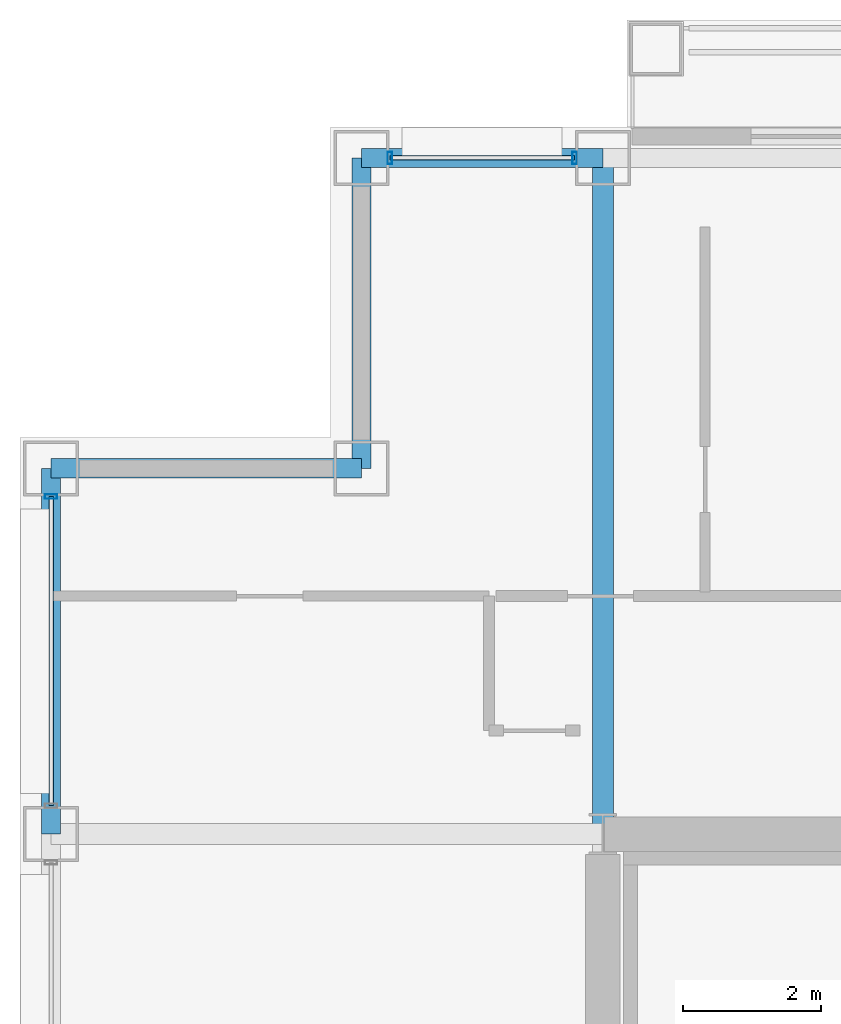
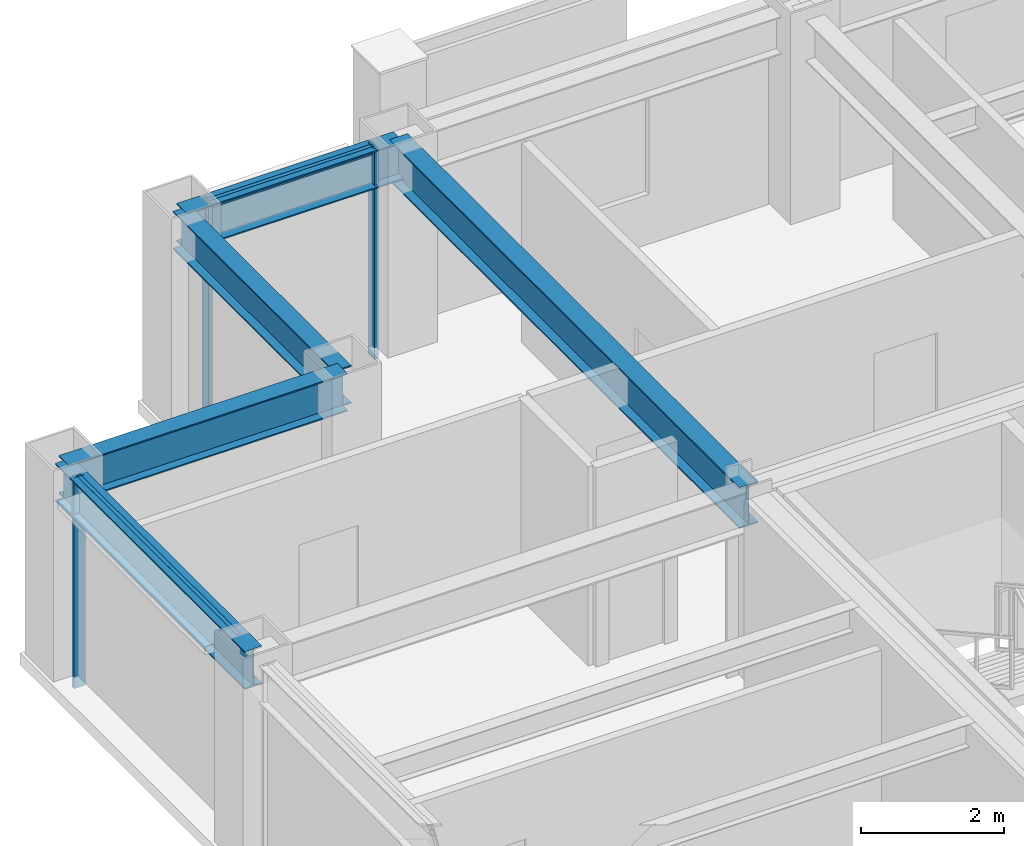
# One storey, part 17 of 29: 5 beams, 5 members, 2 elements without a shape of their own.
"""IFC4 building model written with IfcOpenShell, lengths in metres."""

from ifc_helpers import new_model, si_unit, direction, frame, origin, origin_2d, place, context, subcontext, project, spatial, hollow_rectangle, i_section, extrude, material, layer, layer_set, material_profile, profile_set, type_object, element, aggregate, save


model = new_model("IFC4")

# Units and contexts
model_context = context("Model", 3, precision=1e-05, world=origin(), true_north=direction((0.0, 1.0)))
body_context = subcontext(model_context, "Body", "Model", "MODEL_VIEW")
ifc_project = project(units=[si_unit("LENGTHUNIT", "METRE"), si_unit("AREAUNIT", "SQUARE_METRE"), si_unit("VOLUMEUNIT", "CUBIC_METRE"), si_unit("PLANEANGLEUNIT", "RADIAN"), si_unit("MASSUNIT", "GRAM", prefix="KILO")], contexts=[model_context])

# Site, building, storey
site_placement = place(None, origin())
site = spatial("IfcSite", under=ifc_project, at=site_placement, CompositionType="ELEMENT")
building_placement = place(site_placement, origin())
building = spatial("IfcBuilding", under=site, at=building_placement, Name="Brelmoor Portico Tower", CompositionType="ELEMENT")
storey_placement = place(building_placement, frame((0.0, 0.0, 135.0)))
storey = spatial("IfcBuildingStorey", under=building, at=storey_placement, Name="L35", CompositionType="ELEMENT", Elevation=135.0)

# Beams
ifc_material_1 = material(Name="Steel Q355B", Category="steel")
ifc_material_profile_1 = material_profile(ifc_material_1, i_section(OverallWidth=0.300048828125, OverallDepth=0.699951171875, WebThickness=0.012939453125, FlangeThickness=0.02392578125, at=origin_2d()), Name="HN 700x300x13x24")
ifc_profile_set_1 = profile_set([ifc_material_profile_1], Name="Steel Q355B")
beam_type_1 = type_object("IfcBeamType", Name="BM-PG-700", PredefinedType="BEAM", material=ifc_profile_set_1)
beam_1_placement = place(storey_placement, frame((-14.550048828125, 9.75, 3.050048828125), z_axis=(0.0, 1.0, 0.0), x_axis=(-1.0, 0.0, 0.0)))
element("IfcBeam", 1, at=beam_1_placement, inside=storey, type_object=beam_type_1, Name="L35 Primary Floor Girder PG-04", PredefinedType="BEAM", context=body_context, shape_type="SweptSolid", body=[
    extrude(i_section(OverallWidth=0.300048828125, OverallDepth=0.699951171875, WebThickness=0.012939453125, FlangeThickness=0.02392578125, at=origin_2d()), origin(), (0.0, 0.0, 1.0), 9.800048828125),
])
ifc_material_profile_2 = material_profile(ifc_material_1, i_section(OverallWidth=0.280029296875, OverallDepth=0.64990234375, WebThickness=0.012939453125, FlangeThickness=0.02197265625, at=origin_2d()), Name="HN 650x280x13x22")
ifc_profile_set_2 = profile_set([ifc_material_profile_2], Name="Steel Q355B")
beam_type_2 = type_object("IfcBeamType", Name="BM-SP-650", PredefinedType="SPANDREL", material=ifc_profile_set_2)
beam_2_placement = place(storey_placement, frame((-22.550048828125, 15.050048828125, 3.074951171875), z_axis=(1.0, 0.0, 0.0), x_axis=(0.0, 1.0, 0.0)))
element("IfcBeam", 2, at=beam_2_placement, inside=storey, type_object=beam_type_2, Name="L35 Perimeter Spandrel Beam SP-08", PredefinedType="SPANDREL", context=body_context, shape_type="SweptSolid", body=[
    extrude(i_section(OverallWidth=0.280029296875, OverallDepth=0.64990234375, WebThickness=0.012939453125, FlangeThickness=0.02197265625, at=origin_2d()), origin(), (0.0, 0.0, 1.0), 4.5),
])
beam_3_placement = place(storey_placement, frame((-18.050048828125, 19.550048828125, 3.074951171875), z_axis=(1.0, 0.0, 0.0), x_axis=(0.0, 1.0, 0.0)))
element("IfcBeam", 3, at=beam_3_placement, inside=storey, type_object=beam_type_2, Name="L35 Perimeter Spandrel Beam SP-10", PredefinedType="SPANDREL", context=body_context, shape_type="SweptSolid", body=[
    extrude(i_section(OverallWidth=0.280029296875, OverallDepth=0.64990234375, WebThickness=0.012939453125, FlangeThickness=0.02197265625, at=origin_2d()), origin(), (0.0, 0.0, 1.0), 3.5),
])
beam_4_placement = place(storey_placement, frame((-22.550048828125, 9.75, 3.074951171875), z_axis=(0.0, 1.0, 0.0), x_axis=(-1.0, 0.0, 0.0)))
element("IfcBeam", 4, at=beam_4_placement, inside=storey, type_object=beam_type_2, Name="L35 Perimeter Spandrel Beam SP-17", PredefinedType="SPANDREL", context=body_context, shape_type="SweptSolid", body=[
    extrude(i_section(OverallWidth=0.280029296875, OverallDepth=0.64990234375, WebThickness=0.012939453125, FlangeThickness=0.02197265625, at=origin_2d()), origin(), (0.0, 0.0, 1.0), 5.300048828125),
])
beam_5_placement = place(storey_placement, frame((-18.050048828125, 15.050048828125, 3.074951171875), z_axis=(0.0, 1.0, 0.0), x_axis=(-1.0, 0.0, 0.0)))
element("IfcBeam", 5, at=beam_5_placement, inside=storey, type_object=beam_type_2, Name="L35 Perimeter Spandrel Beam SP-19", PredefinedType="SPANDREL", context=body_context, shape_type="SweptSolid", body=[
    extrude(i_section(OverallWidth=0.280029296875, OverallDepth=0.64990234375, WebThickness=0.012939453125, FlangeThickness=0.02197265625, at=origin_2d()), origin(), (0.0, 0.0, 1.0), 4.5),
])

# Curtain wall, members
ifc_material_2 = material(Name="Anodised Aluminium Alloy 6063-T6", Category="aluminium")
ifc_layer = layer(ifc_material_2, 0.179931640625)
ifc_layer_set = layer_set([ifc_layer], Name="Anodised Aluminium Alloy 6063-T6")
curtain_wall_type = type_object("IfcCurtainWallType", Name="CW-TOWER-Z2-XB", PredefinedType="NOTDEFINED", material=ifc_layer_set)
curtain_wall_1_placement = place(storey_placement, origin())
curtain_wall_1 = element("IfcCurtainWall", 6, at=curtain_wall_1_placement, inside=storey, type_object=curtain_wall_type, Name="L35 Curtain Wall CW-L35-2L", PredefinedType="NOTDEFINED")
ifc_material_profile_3 = material_profile(ifc_material_2, hollow_rectangle(XDim=0.06494140625, YDim=0.179931640625, WallThickness=0.00390625, at=origin_2d()), Name="ALU MULLION 65x180")
ifc_profile_set_3 = profile_set([ifc_material_profile_3], Name="Anodised Aluminium Alloy 6063-T6")
member_type_1 = type_object("IfcMemberType", Name="MB-CW-MULL-180", PredefinedType="MULLION", material=ifc_profile_set_3)
member_1_placement = place(storey_placement, frame((-17.639892578125, 19.550048828125, -0.199951171875), z_axis=(0.0, 0.0, 1.0), x_axis=(1.0, 0.0, 0.0)))
member_1 = element("IfcMember", 7, at=member_1_placement, type_object=member_type_1, Name="CW-L35-2L Mullion 00", PredefinedType="MULLION", context=body_context, shape_type="SweptSolid", body=[
    extrude(hollow_rectangle(XDim=0.06494140625, YDim=0.179931640625, WallThickness=0.00390625, at=origin_2d()), origin(), (0.0, 0.0, 1.0), 3.599853515625),
])
member_2_placement = place(storey_placement, frame((-14.9599609375, 19.550048828125, -0.199951171875), z_axis=(0.0, 0.0, 1.0), x_axis=(1.0, 0.0, 0.0)))
member_2 = element("IfcMember", 8, at=member_2_placement, type_object=member_type_1, Name="CW-L35-2L Mullion 01", PredefinedType="MULLION", context=body_context, shape_type="SweptSolid", body=[
    extrude(hollow_rectangle(XDim=0.06494140625, YDim=0.179931640625, WallThickness=0.00390625, at=origin_2d()), origin(), (0.0, 0.0, 1.0), 3.599853515625),
])

# Curtain wall, member
curtain_wall_2_placement = place(storey_placement, origin())
curtain_wall_2 = element("IfcCurtainWall", 9, at=curtain_wall_2_placement, inside=storey, type_object=curtain_wall_type, Name="L35 Curtain Wall CW-L35-03-3", PredefinedType="NOTDEFINED")
member_3_placement = place(storey_placement, frame((-22.550048828125, 14.639892578125, -0.199951171875), z_axis=(0.0, 0.0, 1.0), x_axis=(0.0, 1.0, 0.0)))
member_3 = element("IfcMember", 10, at=member_3_placement, type_object=member_type_1, Name="CW-L35-03-3 Mullion 01", PredefinedType="MULLION", context=body_context, shape_type="SweptSolid", body=[
    extrude(hollow_rectangle(XDim=0.06494140625, YDim=0.179931640625, WallThickness=0.00390625, at=origin_2d()), origin(), (0.0, 0.0, 1.0), 3.599853515625),
])

# Member
ifc_material_profile_4 = material_profile(ifc_material_2, hollow_rectangle(XDim=0.06494140625, YDim=0.139892578125, WallThickness=0.00390625, at=origin_2d()), Name="ALU TRANSOM 65x140")
ifc_profile_set_4 = profile_set([ifc_material_profile_4], Name="Anodised Aluminium Alloy 6063-T6")
member_type_2 = type_object("IfcMemberType", Name="MB-CW-TRAN-140", PredefinedType="USERDEFINED", material=ifc_profile_set_4)
member_4_placement = place(storey_placement, frame((-17.639892578125, 19.550048828125, 3.330078125), z_axis=(1.0, 0.0, 0.0), x_axis=(0.0, 1.0, 0.0)))
member_4 = element("IfcMember", 11, at=member_4_placement, type_object=member_type_2, Name="CW-L35-2L Transom 1-00", ObjectType="TRANSOM", PredefinedType="USERDEFINED", context=body_context, shape_type="SweptSolid", body=[
    extrude(hollow_rectangle(XDim=0.06494140625, YDim=0.139892578125, WallThickness=0.00390625, at=origin_2d()), origin(), (0.0, 0.0, 1.0), 2.679931640625),
])

aggregate(curtain_wall_1, [member_1, member_2, member_4])

member_5_placement = place(storey_placement, frame((-22.550048828125, 10.159912109375, 3.330078125), z_axis=(0.0, 1.0, 0.0), x_axis=(-1.0, 0.0, 0.0)))
member_5 = element("IfcMember", 12, at=member_5_placement, type_object=member_type_2, Name="CW-L35-03-3 Transom 1-00", ObjectType="TRANSOM", PredefinedType="USERDEFINED", context=body_context, shape_type="SweptSolid", body=[
    extrude(hollow_rectangle(XDim=0.06494140625, YDim=0.139892578125, WallThickness=0.00390625, at=origin_2d()), origin(), (0.0, 0.0, 1.0), 4.47998046875),
])

aggregate(curtain_wall_2, [member_3, member_5])

save(model, "model.ifc")
